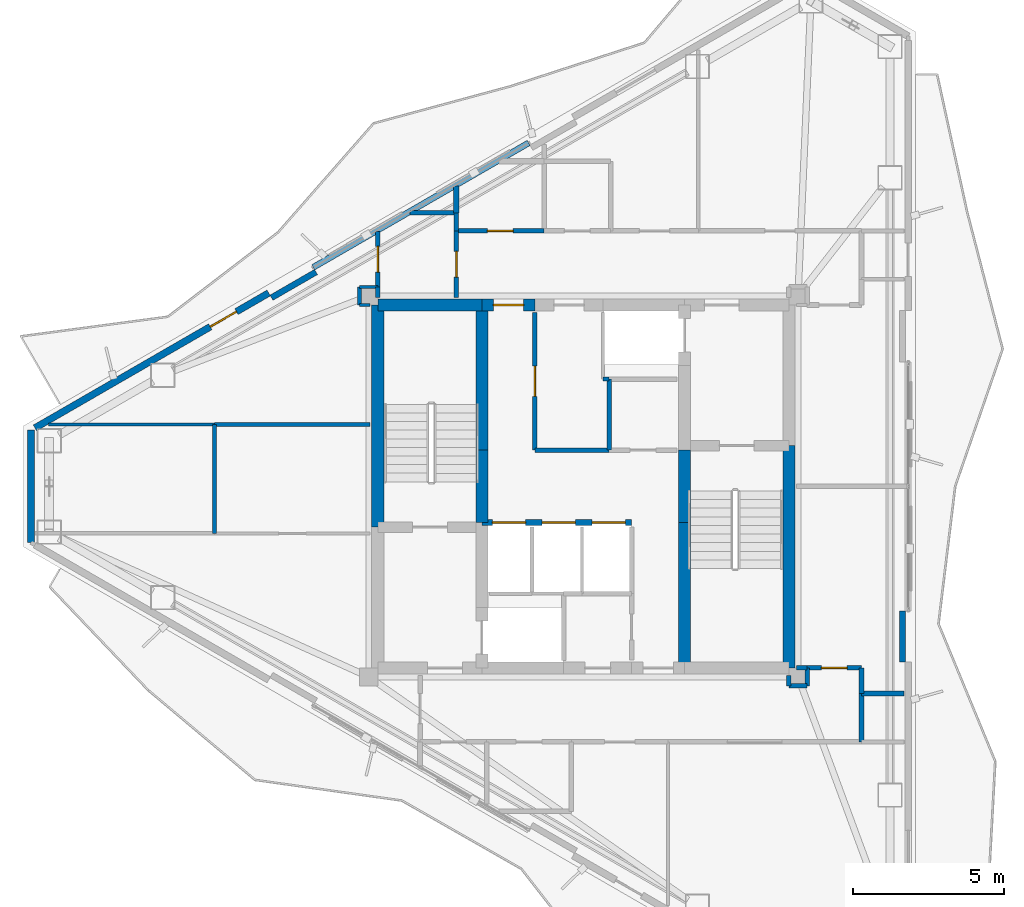
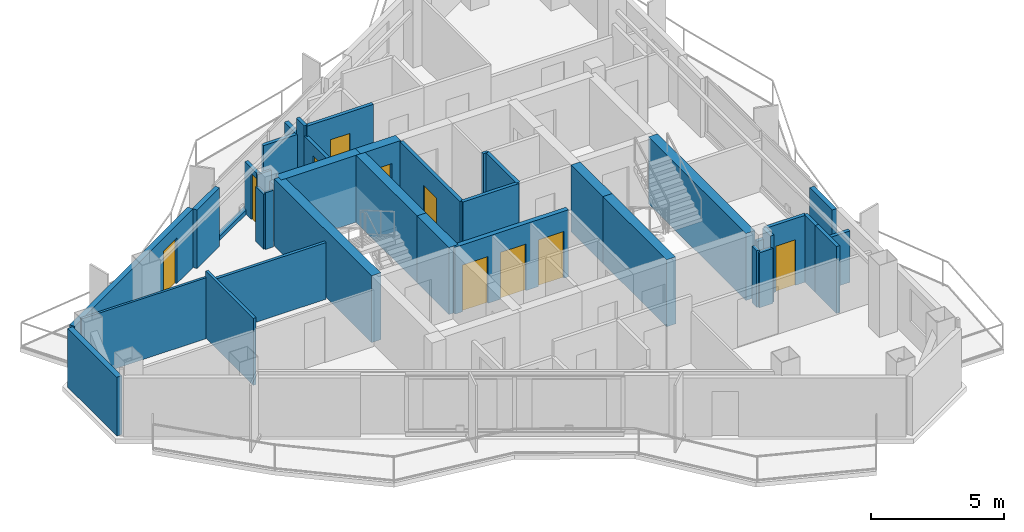
# One storey, part 15 of 18: 39 walls, 10 doors, 10 openings.
"""IFC4 building model written with IfcOpenShell, lengths in metres."""

from ifc_helpers import new_model, si_unit, direction, frame, frame_2d, origin, place, context, subcontext, project, spatial, rectangle, extrude, material, layer, layer_set, type_object, element, fill, save


model = new_model("IFC4")

# Units and contexts
model_context = context("Model", 3, precision=1e-05, world=origin(), true_north=direction((0.0, 1.0)))
body_context = subcontext(model_context, "Body", "Model", "MODEL_VIEW")
ifc_project = project(units=[si_unit("LENGTHUNIT", "METRE"), si_unit("AREAUNIT", "SQUARE_METRE"), si_unit("VOLUMEUNIT", "CUBIC_METRE"), si_unit("PLANEANGLEUNIT", "RADIAN"), si_unit("MASSUNIT", "GRAM", prefix="KILO")], contexts=[model_context])

# Site, building, storey
site_placement = place(None, origin())
site = spatial("IfcSite", under=ifc_project, at=site_placement, CompositionType="ELEMENT")
building_placement = place(site_placement, origin())
building = spatial("IfcBuilding", under=site, at=building_placement, Name="Mersakhor Tower and Convention Hall", CompositionType="ELEMENT")
storey_placement = place(building_placement, frame((0.0, 0.0, 239.699951171875)))
storey = spatial("IfcBuildingStorey", under=building, at=storey_placement, Name="L67", CompositionType="ELEMENT", Elevation=239.699951171875)

# Wall
ifc_material_1 = material(Name="Precast concrete C40/50", Category="concrete")
ifc_layer_1 = layer(ifc_material_1, 0.22509765625)
ifc_layer_set_1 = layer_set([ifc_layer_1], Name="Precast concrete C40/50")
wall_type_1 = type_object("IfcWallType", Name="WL-EXT-225", PredefinedType="SOLIDWALL", material=ifc_layer_set_1)
wall_1_placement = place(storey_placement, frame((10.73193359375, 24.892333984375, 0.0), z_axis=(0.0, 0.0, 1.0), x_axis=(0.0, 1.0, 0.0)))
element("IfcWall", 1, at=wall_1_placement, inside=storey, type_object=wall_type_1, Name="L67 Chamfer Braced Spandrel Wall C3", PredefinedType="SOLIDWALL", context=body_context, shape_type="SweptSolid", body=[
    extrude(rectangle(XDim=3.71533203125, YDim=0.22509765625, at=frame_2d((1.857666015625, 0.0))), origin(), (0.0, 0.0, 1.0), 2.699951171875),
])

# Wall, opening, door
wall_2_placement = place(storey_placement, frame((10.86181640625, 28.6826171875, 0.0), z_axis=(0.0, 0.0, 1.0), x_axis=(0.866026655105, 0.499997832642, 0.0)))
wall_2 = element("IfcWall", 2, at=wall_2_placement, inside=storey, type_object=wall_type_1, Name="L67 Exterior Facade Wall F1-B1", PredefinedType="SOLIDWALL", context=body_context, shape_type="SweptSolid", body=[
    extrude(rectangle(XDim=8.927734375, YDim=0.22509765625, at=frame_2d((4.4638671875, 0.0))), origin(), (0.0, 0.0, 1.0), 2.699951171875),
])
opening_1_placement = place(wall_2_placement, frame((6.696044921875, 0.0, 0.0)))
opening_1 = element("IfcOpeningElement", 3, at=opening_1_placement, cuts=wall_2, Name="Opening BD-01", PredefinedType="OPENING", context=body_context, shape_type="SweptSolid", body=[
    extrude(rectangle(XDim=1.0, YDim=2.10009765625, at=frame_2d((0.5, 1.050048828125))), frame((0.0, 0.12255859375, 0.0), z_axis=(0.0, -1.0, 0.0), x_axis=(1.0, 0.0, 0.0)), (0.0, 0.0, 1.0), 0.2451171875),
])
ifc_material_2 = material(Name="Thermally broken dark aluminium and safety glass", Category="aluminium")
door_type_1 = type_object("IfcDoorType", Name="DR-BAL-100x210", OperationType="NOTDEFINED", PredefinedType="DOOR", material=ifc_material_2)
door_1_placement = place(opening_1_placement, origin())
door_1 = element("IfcDoor", 4, at=door_1_placement, inside=storey, type_object=door_type_1, Name="L67 Balcony Terrace Door F1-B1", OperationType="SINGLE_SWING_LEFT", OverallHeight=2.10009765625, OverallWidth=1.0, PredefinedType="DOOR", context=body_context, shape_type="SweptSolid", body=[
    extrude(rectangle(XDim=1.0, YDim=2.10009765625, at=frame_2d((0.5, 1.050048828125))), frame((0.0, 0.02490234375, 0.0), z_axis=(0.0, -1.0, 0.0), x_axis=(1.0, 0.0, 0.0)), (0.0, 0.0, 1.0), 0.050048828125),
])
fill(opening_1, door_1)

# Walls
ifc_material_3 = material(Name="Precast concrete C40/50", Category="concrete")
ifc_layer_2 = layer(ifc_material_3, 0.199951171875)
ifc_layer_set_2 = layer_set([ifc_layer_2], Name="Precast concrete C40/50")
wall_type_2 = type_object("IfcWallType", Name="WL-PAR-200", PredefinedType="PARAPET", material=ifc_layer_set_2)
wall_3_placement = place(storey_placement, frame((20.06591796875, 33.99658203125, 0.0), z_axis=(0.0, 0.0, 1.0), x_axis=(0.866019557082, 0.500010126649, 0.0)))
element("IfcWall", 5, at=wall_3_placement, inside=storey, type_object=wall_type_2, Name="L67 Curtain Wall Upstand Sill F1-B2", PredefinedType="PARAPET", context=body_context, shape_type="SweptSolid", body=[
    extrude(rectangle(XDim=8.227783203125, YDim=0.199951171875, at=frame_2d((4.11376953125, 0.0))), origin(), (0.0, 0.0, 1.0), 0.199951171875),
])
wall_4_placement = place(storey_placement, frame((18.68359375, 32.99072265625, 0.0), z_axis=(0.0, 0.0, 1.0), x_axis=(0.866025371046, 0.500000056704, 0.0)))
element("IfcWall", 6, at=wall_4_placement, inside=storey, type_object=wall_type_2, Name="L67 Column Pier Cladding Wall F1-C1", PredefinedType="PARAPET", context=body_context, shape_type="SweptSolid", body=[
    extrude(rectangle(XDim=1.7001953125, YDim=0.199951171875, at=frame_2d((0.85009765625, 0.0))), origin(), (0.0, 0.0, 1.0), 2.699951171875),
])
wall_5_placement = place(storey_placement, frame((39.562744140625, 22.635986328125, 0.0), z_axis=(0.0, 0.0, 1.0), x_axis=(0.0, -1.0, 0.0)))
element("IfcWall", 7, at=wall_5_placement, inside=storey, type_object=wall_type_2, Name="L67 Column Pier Cladding Wall F2-C2", PredefinedType="PARAPET", context=body_context, shape_type="SweptSolid", body=[
    extrude(rectangle(XDim=1.699951171875, YDim=0.199951171875, at=frame_2d((0.85009765625, 0.0))), origin(), (0.0, 0.0, 1.0), 2.699951171875),
])
ifc_material_4 = material(Name="Moisture-resistant acoustic drywall studwork", Category="other")
ifc_layer_3 = layer(ifc_material_4, 0.175048828125)
ifc_layer_set_3 = layer_set([ifc_layer_3], Name="Moisture-resistant acoustic drywall studwork")
wall_type_3 = type_object("IfcWallType", Name="WL-PLM-175", PredefinedType="PLUMBINGWALL", material=ifc_layer_set_3)
wall_6_placement = place(storey_placement, frame((24.800048828125, 35.800048828125, 0.0), z_axis=(0.0, 0.0, 1.0), x_axis=(0.0, 1.0, 0.0)))
element("IfcWall", 8, at=wall_6_placement, inside=storey, type_object=wall_type_3, Name="L67 Interior Partition Wall P-040", PredefinedType="PLUMBINGWALL", context=body_context, shape_type="SweptSolid", body=[
    extrude(rectangle(XDim=0.883544921875, YDim=0.175048828125, at=frame_2d((0.44189453125, 0.0))), origin(), (0.0, 0.0, 1.0), 2.364990234375),
])
ifc_material_5 = material(Name="Lightweight gypsum partition", Category="other")
ifc_layer_4 = layer(ifc_material_5, 0.10009765625)
ifc_layer_set_4 = layer_set([ifc_layer_4], Name="Lightweight gypsum partition")
wall_type_4 = type_object("IfcWallType", Name="WL-PRT-100", PredefinedType="PARTITIONING", material=ifc_layer_set_4)
wall_7_placement = place(storey_placement, frame((22.199951171875, 33.35009765625, 0.0), z_axis=(0.0, 0.0, 1.0), x_axis=(-1.0, 0.0, 0.0)))
element("IfcWall", 9, at=wall_7_placement, inside=storey, type_object=wall_type_4, Name="L67 Interior Partition Wall P-066", PredefinedType="PARTITIONING", context=body_context, shape_type="SweptSolid", body=[
    extrude(rectangle(XDim=0.599853515625, YDim=0.10009765625, at=frame_2d((0.2998046875, 0.0))), origin(), (0.0, 0.0, 1.0), 3.080078125),
])
wall_8_placement = place(storey_placement, frame((21.60009765625, 32.75, 0.0), z_axis=(0.0, 0.0, 1.0), x_axis=(1.0, 0.0, 0.0)))
element("IfcWall", 10, at=wall_8_placement, inside=storey, type_object=wall_type_4, Name="L67 Interior Partition Wall P-068", PredefinedType="PARTITIONING", context=body_context, shape_type="SweptSolid", body=[
    extrude(rectangle(XDim=0.349853515625, YDim=0.10009765625, at=frame_2d((0.1748046875, 0.0))), origin(), (0.0, 0.0, 1.0), 2.60498046875),
])
wall_9_placement = place(storey_placement, frame((16.800048828125, 28.800048828125, 0.0), z_axis=(0.0, 0.0, 1.0), x_axis=(-1.0, 0.0, 0.0)))
element("IfcWall", 11, at=wall_9_placement, inside=storey, type_object=wall_type_4, Name="L67 Interior Partition Wall P-070", PredefinedType="PARTITIONING", context=body_context, shape_type="SweptSolid", body=[
    extrude(rectangle(XDim=5.48681640625, YDim=0.10009765625, at=frame_2d((2.743408203125, 0.0))), origin(), (0.0, 0.0, 1.0), 2.8046875),
])
ifc_material_6 = material(Name="Gypsum board acoustic partition", Category="other")
ifc_layer_5 = layer(ifc_material_6, 0.125)
ifc_layer_set_5 = layer_set([ifc_layer_5], Name="Gypsum board acoustic partition")
wall_type_5 = type_object("IfcWallType", Name="WL-PRT-125", PredefinedType="PARTITIONING", material=ifc_layer_set_5)
wall_10_placement = place(storey_placement, frame((29.85009765625, 30.300048828125, 0.0), z_axis=(0.0, 0.0, 1.0), x_axis=(-1.0, 0.0, 0.0)))
element("IfcWall", 12, at=wall_10_placement, inside=storey, type_object=wall_type_5, Name="L67 Interior Partition Wall P-005", PredefinedType="PARTITIONING", context=body_context, shape_type="SweptSolid", body=[
    extrude(rectangle(XDim=0.2001953125, YDim=0.125, at=frame_2d((0.10009765625, 0.0))), origin(), (0.0, 0.0, 1.0), 3.080078125),
])
wall_11_placement = place(storey_placement, frame((21.60009765625, 33.35009765625, 0.0), z_axis=(0.0, 0.0, 1.0), x_axis=(0.0, -1.0, 0.0)))
element("IfcWall", 13, at=wall_11_placement, inside=storey, type_object=wall_type_5, Name="L67 Interior Partition Wall P-067", PredefinedType="PARTITIONING", context=body_context, shape_type="SweptSolid", body=[
    extrude(rectangle(XDim=0.60009765625, YDim=0.125, at=frame_2d((0.300048828125, 0.0))), origin(), (0.0, 0.0, 1.0), 2.5283203125),
])
wall_12_placement = place(storey_placement, frame((21.949951171875, 28.800048828125, 0.0), z_axis=(0.0, 0.0, 1.0), x_axis=(-1.0, 0.0, 0.0)))
element("IfcWall", 14, at=wall_12_placement, inside=storey, type_object=wall_type_5, Name="L67 Interior Partition Wall P-069", PredefinedType="PARTITIONING", context=body_context, shape_type="SweptSolid", body=[
    extrude(rectangle(XDim=5.14990234375, YDim=0.125, at=frame_2d((2.574951171875, 0.0))), origin(), (0.0, 0.0, 1.0), 2.60498046875),
])
wall_13_placement = place(storey_placement, frame((16.800048828125, 25.199951171875, 0.0), z_axis=(0.0, 0.0, 1.0), x_axis=(0.0, 1.0, 0.0)))
element("IfcWall", 15, at=wall_13_placement, inside=storey, type_object=wall_type_5, Name="L67 Interior Partition Wall P-071", PredefinedType="PARTITIONING", context=body_context, shape_type="SweptSolid", body=[
    extrude(rectangle(XDim=3.60009765625, YDim=0.125, at=frame_2d((1.800048828125, 0.0))), origin(), (0.0, 0.0, 1.0), 3.080078125),
])

# Wall, opening, door
ifc_material_7 = material(Name="Fire-rated gypsum board stud partition", Category="other")
ifc_layer_6 = layer(ifc_material_7, 0.14990234375)
ifc_layer_set_6 = layer_set([ifc_layer_6], Name="Fire-rated gypsum board stud partition")
wall_type_6 = type_object("IfcWallType", Name="WL-PRT-150", PredefinedType="PARTITIONING", material=ifc_layer_set_6)
wall_14_placement = place(storey_placement, frame((27.39990234375, 32.5, 0.0), z_axis=(0.0, 0.0, 1.0), x_axis=(0.0, -1.0, 0.0)))
wall_14 = element("IfcWall", 16, at=wall_14_placement, inside=storey, type_object=wall_type_6, Name="L67 Interior Partition Wall P-013", PredefinedType="PARTITIONING", context=body_context, shape_type="SweptSolid", body=[
    extrude(rectangle(XDim=4.550048828125, YDim=0.14990234375, at=frame_2d((2.27490234375, 0.0))), origin(), (0.0, 0.0, 1.0), 3.080078125),
])
opening_2_placement = place(wall_14_placement, frame((1.77490234375, 0.0, 0.0)))
opening_2 = element("IfcOpeningElement", 17, at=opening_2_placement, cuts=wall_14, Name="Opening FD-01", PredefinedType="OPENING", context=body_context, shape_type="SweptSolid", body=[
    extrude(rectangle(XDim=1.0, YDim=2.14990234375, at=frame_2d((0.5, 1.074951171875))), frame((0.0, 0.0849609375, 0.0), z_axis=(0.0, -1.0, 0.0), x_axis=(1.0, 0.0, 0.0)), (0.0, 0.0, 1.0), 0.169921875),
])
ifc_material_8 = material(Name="Fire-rated hardwood leaf and painted steel frame", Category="steel")
door_type_2 = type_object("IfcDoorType", Name="DR-INT-FLT-100x215", OperationType="NOTDEFINED", PredefinedType="DOOR", material=ifc_material_8)
door_2_placement = place(opening_2_placement, origin())
door_2 = element("IfcDoor", 18, at=door_2_placement, inside=storey, type_object=door_type_2, Name="L67 Central Passenger Lift Lobby to Communal Resident Laundry Room Door", OperationType="SINGLE_SWING_LEFT", OverallHeight=2.14990234375, OverallWidth=1.0, PredefinedType="DOOR", context=body_context, shape_type="SweptSolid", body=[
    extrude(rectangle(XDim=1.0, YDim=2.14990234375, at=frame_2d((0.5, 1.074951171875))), frame((0.0, 0.02490234375, 0.0), z_axis=(0.0, -1.0, 0.0), x_axis=(1.0, 0.0, 0.0)), (0.0, 0.0, 1.0), 0.050048828125),
])
fill(opening_2, door_2)

# Wall
wall_15_placement = place(storey_placement, frame((27.39990234375, 27.949951171875, 0.0), z_axis=(0.0, 0.0, 1.0), x_axis=(1.0, 0.0, 0.0)))
element("IfcWall", 19, at=wall_15_placement, inside=storey, type_object=wall_type_6, Name="L67 Interior Partition Wall P-014", PredefinedType="PARTITIONING", context=body_context, shape_type="SweptSolid", body=[
    extrude(rectangle(XDim=2.4501953125, YDim=0.14990234375, at=frame_2d((1.22509765625, 0.0))), origin(), (0.0, 0.0, 1.0), 3.080078125),
])

# Wall, opening, door
wall_16_placement = place(storey_placement, frame((24.800048828125, 35.199951171875, 0.0), z_axis=(0.0, 0.0, 1.0), x_axis=(1.0, 0.0, 0.0)))
wall_16 = element("IfcWall", 20, at=wall_16_placement, inside=storey, type_object=wall_type_6, Name="L67 Interior Partition Wall P-016", PredefinedType="PARTITIONING", context=body_context, shape_type="SweptSolid", body=[
    extrude(rectangle(XDim=2.89990234375, YDim=0.14990234375, at=frame_2d((1.449951171875, 0.0))), origin(), (0.0, 0.0, 1.0), 3.080078125),
])
opening_3_placement = place(wall_16_placement, frame((1.02490234375, 0.0, 0.0)))
opening_3 = element("IfcOpeningElement", 21, at=opening_3_placement, cuts=wall_16, Name="Opening SVD-01", PredefinedType="OPENING", context=body_context, shape_type="SweptSolid", body=[
    extrude(rectangle(XDim=0.85009765625, YDim=2.10009765625, at=frame_2d((0.425048828125, 1.050048828125))), frame((0.0, 0.0849609375, 0.0), z_axis=(0.0, -1.0, 0.0), x_axis=(1.0, 0.0, 0.0)), (0.0, 0.0, 1.0), 0.169921875),
])
ifc_material_9 = material(Name="Fire-rated hardwood leaf and painted steel frame", Category="steel")
door_type_3 = type_object("IfcDoorType", Name="DR-INT-SVC-085x210", OperationType="NOTDEFINED", PredefinedType="DOOR", material=ifc_material_9)
door_3_placement = place(opening_3_placement, origin())
door_3 = element("IfcDoor", 22, at=door_3_placement, inside=storey, type_object=door_type_3, Name="L67 Residential North Gallery Corridor to L67 Floor Shared Restroom WC 1-1 Door", OperationType="SINGLE_SWING_RIGHT", OverallHeight=2.10009765625, OverallWidth=0.85009765625, PredefinedType="DOOR", context=body_context, shape_type="SweptSolid", body=[
    extrude(rectangle(XDim=0.85009765625, YDim=2.10009765625, at=frame_2d((0.425048828125, 1.050048828125))), frame((0.0, 0.02490234375, 0.0), z_axis=(0.0, -1.0, 0.0), x_axis=(1.0, 0.0, 0.0)), (0.0, 0.0, 1.0), 0.050048828125),
])
fill(opening_3, door_3)

wall_17_placement = place(storey_placement, frame((24.800048828125, 33.0, 0.0), z_axis=(0.0, 0.0, 1.0), x_axis=(0.0, 1.0, 0.0)))
wall_17 = element("IfcWall", 23, at=wall_17_placement, inside=storey, type_object=wall_type_6, Name="L67 Interior Partition Wall P-026", PredefinedType="PARTITIONING", context=body_context, shape_type="SweptSolid", body=[
    extrude(rectangle(XDim=2.199951171875, YDim=0.14990234375, at=frame_2d((1.10009765625, 0.0))), origin(), (0.0, 0.0, 1.0), 2.60498046875),
])
opening_4_placement = place(wall_17_placement, frame((0.675048828125, 0.0, 0.0)))
opening_4 = element("IfcOpeningElement", 24, at=opening_4_placement, cuts=wall_17, Name="Opening SVD-01", PredefinedType="OPENING", context=body_context, shape_type="SweptSolid", body=[
    extrude(rectangle(XDim=0.85009765625, YDim=2.10009765625, at=frame_2d((0.425048828125, 1.050048828125))), frame((0.0, 0.0849609375, 0.0), z_axis=(0.0, -1.0, 0.0), x_axis=(1.0, 0.0, 0.0)), (0.0, 0.0, 1.0), 0.169921875),
])
door_4_placement = place(opening_4_placement, origin())
door_4 = element("IfcDoor", 25, at=door_4_placement, inside=storey, type_object=door_type_3, Name="L67 Residential North Gallery Corridor to L67 Floor Household Store Room 3-1 Door", OperationType="SINGLE_SWING_RIGHT", OverallHeight=2.10009765625, OverallWidth=0.85009765625, PredefinedType="DOOR", context=body_context, shape_type="SweptSolid", body=[
    extrude(rectangle(XDim=0.85009765625, YDim=2.10009765625, at=frame_2d((0.425048828125, 1.050048828125))), frame((0.0, 0.02490234375, 0.0), z_axis=(0.0, -1.0, 0.0), x_axis=(1.0, 0.0, 0.0)), (0.0, 0.0, 1.0), 0.050048828125),
])
fill(opening_4, door_4)

# Walls
wall_18_placement = place(storey_placement, frame((35.800048828125, 20.14990234375, 0.0), z_axis=(0.0, 0.0, 1.0), x_axis=(1.0, 0.0, 0.0)))
element("IfcWall", 26, at=wall_18_placement, inside=storey, type_object=wall_type_6, Name="L67 Interior Partition Wall P-027", PredefinedType="PARTITIONING", context=body_context, shape_type="SweptSolid", body=[
    extrude(rectangle(XDim=0.599853515625, YDim=0.14990234375, at=frame_2d((0.2998046875, 0.0))), origin(), (0.0, 0.0, 1.0), 2.5283203125),
])
wall_19_placement = place(storey_placement, frame((36.39990234375, 20.14990234375, 0.0), z_axis=(0.0, 0.0, 1.0), x_axis=(0.0, 1.0, 0.0)))
element("IfcWall", 27, at=wall_19_placement, inside=storey, type_object=wall_type_6, Name="L67 Interior Partition Wall P-028", PredefinedType="PARTITIONING", context=body_context, shape_type="SweptSolid", body=[
    extrude(rectangle(XDim=0.60009765625, YDim=0.14990234375, at=frame_2d((0.300048828125, 0.0))), origin(), (0.0, 0.0, 1.0), 3.080078125),
])

# Wall, opening, door
wall_20_placement = place(storey_placement, frame((36.39990234375, 20.75, 0.0), z_axis=(0.0, 0.0, 1.0), x_axis=(1.0, 0.0, 0.0)))
wall_20 = element("IfcWall", 28, at=wall_20_placement, inside=storey, type_object=wall_type_6, Name="L67 Interior Partition Wall P-029", PredefinedType="PARTITIONING", context=body_context, shape_type="SweptSolid", body=[
    extrude(rectangle(XDim=1.800048828125, YDim=0.14990234375, at=frame_2d((0.89990234375, 0.0))), origin(), (0.0, 0.0, 1.0), 3.080078125),
])
opening_5_placement = place(wall_20_placement, frame((0.47509765625, 0.0, 0.0)))
opening_5 = element("IfcOpeningElement", 29, at=opening_5_placement, cuts=wall_20, Name="Opening SVD-01", PredefinedType="OPENING", context=body_context, shape_type="SweptSolid", body=[
    extrude(rectangle(XDim=0.85009765625, YDim=2.10009765625, at=frame_2d((0.425048828125, 1.050048828125))), frame((0.0, 0.0849609375, 0.0), z_axis=(0.0, -1.0, 0.0), x_axis=(1.0, 0.0, 0.0)), (0.0, 0.0, 1.0), 0.169921875),
])
door_5_placement = place(opening_5_placement, origin())
door_5 = element("IfcDoor", 30, at=door_5_placement, inside=storey, type_object=door_type_3, Name="L67 Residential South Gallery Corridor to L67 East Crown Household Store Door", OperationType="SINGLE_SWING_LEFT", OverallHeight=2.10009765625, OverallWidth=0.85009765625, PredefinedType="DOOR", context=body_context, shape_type="SweptSolid", body=[
    extrude(rectangle(XDim=0.85009765625, YDim=2.10009765625, at=frame_2d((0.425048828125, 1.050048828125))), frame((0.0, 0.02490234375, 0.0), z_axis=(0.0, -1.0, 0.0), x_axis=(1.0, 0.0, 0.0)), (0.0, 0.0, 1.0), 0.050048828125),
])
fill(opening_5, door_5)

# Walls
wall_21_placement = place(storey_placement, frame((38.199951171875, 20.75, 0.0), z_axis=(0.0, 0.0, 1.0), x_axis=(0.0, -1.0, 0.0)))
element("IfcWall", 31, at=wall_21_placement, inside=storey, type_object=wall_type_6, Name="L67 Interior Partition Wall P-030", PredefinedType="PARTITIONING", context=body_context, shape_type="SweptSolid", body=[
    extrude(rectangle(XDim=0.85009765625, YDim=0.14990234375, at=frame_2d((0.425048828125, 0.0))), origin(), (0.0, 0.0, 1.0), 3.080078125),
])
wall_22_placement = place(storey_placement, frame((38.199951171875, 19.89990234375, 0.0), z_axis=(0.0, 0.0, 1.0), x_axis=(0.0, -1.0, 0.0)))
element("IfcWall", 32, at=wall_22_placement, inside=storey, type_object=wall_type_6, Name="L67 Interior Partition Wall P-031", PredefinedType="PARTITIONING", context=body_context, shape_type="SweptSolid", body=[
    extrude(rectangle(XDim=1.599853515625, YDim=0.14990234375, at=frame_2d((0.7998046875, 0.0))), origin(), (0.0, 0.0, 1.0), 3.080078125),
])
wall_23_placement = place(storey_placement, frame((35.800048828125, 20.5, 0.0), z_axis=(0.0, 0.0, 1.0), x_axis=(0.0, -1.0, 0.0)))
element("IfcWall", 33, at=wall_23_placement, inside=storey, type_object=wall_type_6, Name="L67 Interior Partition Wall P-037", PredefinedType="PARTITIONING", context=body_context, shape_type="SweptSolid", body=[
    extrude(rectangle(XDim=0.35009765625, YDim=0.14990234375, at=frame_2d((0.175048828125, 0.0))), origin(), (0.0, 0.0, 1.0), 2.60498046875),
])
wall_24_placement = place(storey_placement, frame((24.800048828125, 35.199951171875, 0.0), z_axis=(0.0, 0.0, 1.0), x_axis=(0.0, 1.0, 0.0)))
element("IfcWall", 34, at=wall_24_placement, inside=storey, type_object=wall_type_6, Name="L67 Interior Partition Wall P-039", PredefinedType="PARTITIONING", context=body_context, shape_type="SweptSolid", body=[
    extrude(rectangle(XDim=0.60009765625, YDim=0.14990234375, at=frame_2d((0.300048828125, 0.0))), origin(), (0.0, 0.0, 1.0), 3.080078125),
])
wall_25_placement = place(storey_placement, frame((29.85009765625, 30.300048828125, 0.0), z_axis=(0.0, 0.0, 1.0), x_axis=(0.0, -1.0, 0.0)))
element("IfcWall", 35, at=wall_25_placement, inside=storey, type_object=wall_type_6, Name="L67 Interior Partition Wall P-044", PredefinedType="PARTITIONING", context=body_context, shape_type="SweptSolid", body=[
    extrude(rectangle(XDim=2.35009765625, YDim=0.14990234375, at=frame_2d((1.175048828125, 0.0))), origin(), (0.0, 0.0, 1.0), 3.080078125),
])
wall_26_placement = place(storey_placement, frame((36.39990234375, 20.75, 0.0), z_axis=(0.0, 0.0, 1.0), x_axis=(-1.0, 0.0, 0.0)))
element("IfcWall", 36, at=wall_26_placement, inside=storey, type_object=wall_type_6, Name="L67 Interior Partition Wall P-057", PredefinedType="PARTITIONING", context=body_context, shape_type="SweptSolid", body=[
    extrude(rectangle(XDim=0.349853515625, YDim=0.14990234375, at=frame_2d((0.1748046875, 0.0))), origin(), (0.0, 0.0, 1.0), 2.60498046875),
])
wall_27_placement = place(storey_placement, frame((39.606201171875, 19.89990234375, 0.0), z_axis=(0.0, 0.0, 1.0), x_axis=(-1.0, 0.0, 0.0)))
element("IfcWall", 37, at=wall_27_placement, inside=storey, type_object=wall_type_6, Name="L67 Interior Partition Wall P-058", PredefinedType="PARTITIONING", context=body_context, shape_type="SweptSolid", body=[
    extrude(rectangle(XDim=1.40625, YDim=0.14990234375, at=frame_2d((0.703125, 0.0))), origin(), (0.0, 0.0, 1.0), 2.364990234375),
])
wall_28_placement = place(storey_placement, frame((22.199951171875, 33.0, 0.0), z_axis=(0.0, 0.0, 1.0), x_axis=(0.0, 1.0, 0.0)))
element("IfcWall", 38, at=wall_28_placement, inside=storey, type_object=wall_type_6, Name="L67 Interior Partition Wall P-063", PredefinedType="PARTITIONING", context=body_context, shape_type="SweptSolid", body=[
    extrude(rectangle(XDim=0.35009765625, YDim=0.14990234375, at=frame_2d((0.175048828125, 0.0))), origin(), (0.0, 0.0, 1.0), 2.60498046875),
])

# Wall, opening, door
wall_29_placement = place(storey_placement, frame((22.199951171875, 33.35009765625, 0.0), z_axis=(0.0, 0.0, 1.0), x_axis=(0.0, 1.0, 0.0)))
wall_29 = element("IfcWall", 39, at=wall_29_placement, inside=storey, type_object=wall_type_6, Name="L67 Interior Partition Wall P-064", PredefinedType="PARTITIONING", context=body_context, shape_type="SweptSolid", body=[
    extrude(rectangle(XDim=1.83251953125, YDim=0.14990234375, at=frame_2d((0.916259765625, 0.0))), origin(), (0.0, 0.0, 1.0), 2.364990234375),
])
opening_6_placement = place(wall_29_placement, frame((0.4912109375, 0.0, 0.0)))
opening_6 = element("IfcOpeningElement", 40, at=opening_6_placement, cuts=wall_29, Name="Opening SVD-01", PredefinedType="OPENING", context=body_context, shape_type="SweptSolid", body=[
    extrude(rectangle(XDim=0.85009765625, YDim=2.10009765625, at=frame_2d((0.425048828125, 1.050048828125))), frame((0.0, 0.0849609375, 0.0), z_axis=(0.0, -1.0, 0.0), x_axis=(1.0, 0.0, 0.0)), (0.0, 0.0, 1.0), 0.169921875),
])
door_6_placement = place(opening_6_placement, origin())
door_6 = element("IfcDoor", 41, at=door_6_placement, inside=storey, type_object=door_type_3, Name="L67 L67 Floor Household Store Room 3-1 to L67 Floor Residents Study Room 3-2 Door", OperationType="SINGLE_SWING_RIGHT", OverallHeight=2.10009765625, OverallWidth=0.85009765625, PredefinedType="DOOR", context=body_context, shape_type="SweptSolid", body=[
    extrude(rectangle(XDim=0.85009765625, YDim=2.10009765625, at=frame_2d((0.425048828125, 1.050048828125))), frame((0.0, 0.02490234375, 0.0), z_axis=(0.0, -1.0, 0.0), x_axis=(1.0, 0.0, 0.0)), (0.0, 0.0, 1.0), 0.050048828125),
])
fill(opening_6, door_6)

# Wall
wall_30_placement = place(storey_placement, frame((23.26220703125, 35.800048828125, 0.0), z_axis=(0.0, 0.0, 1.0), x_axis=(1.0, 0.0, 0.0)))
element("IfcWall", 42, at=wall_30_placement, inside=storey, type_object=wall_type_6, Name="L67 Interior Partition Wall P-065", PredefinedType="PARTITIONING", context=body_context, shape_type="SweptSolid", body=[
    extrude(rectangle(XDim=1.537841796875, YDim=0.14990234375, at=frame_2d((0.76904296875, 0.0))), origin(), (0.0, 0.0, 1.0), 2.364990234375),
])

# Wall, openings, doors
ifc_material_10 = material(Name="Acoustic concrete blockwork and gypsum board", Category="masonry")
ifc_layer_7 = layer(ifc_material_10, 0.199951171875)
ifc_layer_set_7 = layer_set([ifc_layer_7], Name="Acoustic concrete blockwork and gypsum board")
wall_type_7 = type_object("IfcWallType", Name="WL-PRT-200", PredefinedType="PARTITIONING", material=ifc_layer_set_7)
wall_31_placement = place(storey_placement, frame((25.64990234375, 25.550048828125, 0.0), z_axis=(0.0, 0.0, 1.0), x_axis=(1.0, 0.0, 0.0)))
wall_31 = element("IfcWall", 43, at=wall_31_placement, inside=storey, type_object=wall_type_7, Name="L67 High-Rise Lift Bank Front Wall", PredefinedType="PARTITIONING", context=body_context, shape_type="SweptSolid", body=[
    extrude(rectangle(XDim=4.9501953125, YDim=0.199951171875, at=frame_2d((2.47509765625, 0.0))), origin(), (0.0, 0.0, 1.0), 3.080078125),
])
opening_7_placement = place(wall_31_placement, frame((0.340087890625, 0.0, 0.0)))
opening_7 = element("IfcOpeningElement", 44, at=opening_7_placement, cuts=wall_31, Name="Opening LD-P4", PredefinedType="OPENING", context=body_context, shape_type="SweptSolid", body=[
    extrude(rectangle(XDim=1.10009765625, YDim=2.14990234375, at=frame_2d((0.550048828125, 1.074951171875))), frame((0.0, 0.10986328125, 0.0), z_axis=(0.0, -1.0, 0.0), x_axis=(1.0, 0.0, 0.0)), (0.0, 0.0, 1.0), 0.219970703125),
])
opening_8_placement = place(wall_31_placement, frame((1.989990234375, 0.0, 0.0)))
opening_8 = element("IfcOpeningElement", 45, at=opening_8_placement, cuts=wall_31, Name="Opening LD-P5", PredefinedType="OPENING", context=body_context, shape_type="SweptSolid", body=[
    extrude(rectangle(XDim=1.10009765625, YDim=2.14990234375, at=frame_2d((0.550048828125, 1.074951171875))), frame((0.0, 0.10986328125, 0.0), z_axis=(0.0, -1.0, 0.0), x_axis=(1.0, 0.0, 0.0)), (0.0, 0.0, 1.0), 0.219970703125),
])
opening_9_placement = place(wall_31_placement, frame((3.639892578125, 0.0, 0.0)))
opening_9 = element("IfcOpeningElement", 46, at=opening_9_placement, cuts=wall_31, Name="Opening LD-P6", PredefinedType="OPENING", context=body_context, shape_type="SweptSolid", body=[
    extrude(rectangle(XDim=1.10009765625, YDim=2.14990234375, at=frame_2d((0.550048828125, 1.074951171875))), frame((0.0, 0.10986328125, 0.0), z_axis=(0.0, -1.0, 0.0), x_axis=(1.0, 0.0, 0.0)), (0.0, 0.0, 1.0), 0.219970703125),
])
ifc_material_11 = material(Name="Fire-rated brushed stainless steel sliding landing door", Category="steel")
door_type_4 = type_object("IfcDoorType", Name="DR-LIFT-SLD-110x215", OperationType="NOTDEFINED", PredefinedType="DOOR", material=ifc_material_11)
door_7_placement = place(opening_7_placement, origin())
door_7 = element("IfcDoor", 47, at=door_7_placement, inside=storey, type_object=door_type_4, Name="L67 Lift Landing Door LD-P4", OperationType="SLIDING_TO_LEFT", OverallHeight=2.14990234375, OverallWidth=1.10009765625, PredefinedType="DOOR", context=body_context, shape_type="SweptSolid", body=[
    extrude(rectangle(XDim=1.10009765625, YDim=2.14990234375, at=frame_2d((0.550048828125, 1.074951171875))), frame((0.0, 0.02490234375, 0.0), z_axis=(0.0, -1.0, 0.0), x_axis=(1.0, 0.0, 0.0)), (0.0, 0.0, 1.0), 0.050048828125),
])
fill(opening_7, door_7)
door_8_placement = place(opening_8_placement, origin())
door_8 = element("IfcDoor", 48, at=door_8_placement, inside=storey, type_object=door_type_4, Name="L67 Lift Landing Door LD-P5", OperationType="SLIDING_TO_LEFT", OverallHeight=2.14990234375, OverallWidth=1.10009765625, PredefinedType="DOOR", context=body_context, shape_type="SweptSolid", body=[
    extrude(rectangle(XDim=1.10009765625, YDim=2.14990234375, at=frame_2d((0.550048828125, 1.074951171875))), frame((0.0, 0.02490234375, 0.0), z_axis=(0.0, -1.0, 0.0), x_axis=(1.0, 0.0, 0.0)), (0.0, 0.0, 1.0), 0.050048828125),
])
fill(opening_8, door_8)
door_9_placement = place(opening_9_placement, origin())
door_9 = element("IfcDoor", 49, at=door_9_placement, inside=storey, type_object=door_type_4, Name="L67 Lift Landing Door LD-P6", OperationType="SLIDING_TO_LEFT", OverallHeight=2.14990234375, OverallWidth=1.10009765625, PredefinedType="DOOR", context=body_context, shape_type="SweptSolid", body=[
    extrude(rectangle(XDim=1.10009765625, YDim=2.14990234375, at=frame_2d((0.550048828125, 1.074951171875))), frame((0.0, 0.02490234375, 0.0), z_axis=(0.0, -1.0, 0.0), x_axis=(1.0, 0.0, 0.0)), (0.0, 0.0, 1.0), 0.050048828125),
])
fill(opening_9, door_9)

# Walls
ifc_material_12 = material(Name="Concrete C60/75", Category="concrete")
ifc_layer_8 = layer(ifc_material_12, 0.39990234375)
ifc_layer_set_8 = layer_set([ifc_layer_8], Name="Concrete C60/75")
wall_type_8 = type_object("IfcWallType", Name="WL-SHR-400", PredefinedType="SHEAR", material=ifc_layer_set_8)
wall_32_placement = place(storey_placement, frame((22.199951171875, 25.39990234375, 0.0), z_axis=(0.0, 0.0, 1.0), x_axis=(0.0, 1.0, 0.0)))
element("IfcWall", 50, at=wall_32_placement, inside=storey, type_object=wall_type_8, Name="L67 Core Wall CW-W2", PredefinedType="SHEAR", context=body_context, shape_type="SweptSolid", body=[
    extrude(rectangle(XDim=7.35009765625, YDim=0.39990234375, at=frame_2d((3.675048828125, 0.0))), origin(), (0.0, 0.0, 1.0), 3.080078125),
])
wall_33_placement = place(storey_placement, frame((22.199951171875, 32.75, 0.0), z_axis=(0.0, 0.0, 1.0), x_axis=(1.0, 0.0, 0.0)))
element("IfcWall", 51, at=wall_33_placement, inside=storey, type_object=wall_type_8, Name="L67 Core Wall CW-N1", PredefinedType="SHEAR", context=body_context, shape_type="SweptSolid", body=[
    extrude(rectangle(XDim=3.449951171875, YDim=0.39990234375, at=frame_2d((1.72509765625, 0.0))), origin(), (0.0, 0.0, 1.0), 3.080078125),
])

# Wall, opening, door
wall_34_placement = place(storey_placement, frame((25.64990234375, 32.75, 0.0), z_axis=(0.0, 0.0, 1.0), x_axis=(1.0, 0.0, 0.0)))
wall_34 = element("IfcWall", 52, at=wall_34_placement, inside=storey, type_object=wall_type_8, Name="L67 Core Wall CW-N2A", PredefinedType="SHEAR", context=body_context, shape_type="SweptSolid", body=[
    extrude(rectangle(XDim=1.75, YDim=0.39990234375, at=frame_2d((0.875, 0.0))), origin(), (0.0, 0.0, 1.0), 3.080078125),
])
opening_10_placement = place(wall_34_placement, frame((0.375, 0.0, 0.0)))
opening_10 = element("IfcOpeningElement", 53, at=opening_10_placement, cuts=wall_34, Name="Opening CFD-01", PredefinedType="OPENING", context=body_context, shape_type="SweptSolid", body=[
    extrude(rectangle(XDim=1.0, YDim=2.14990234375, at=frame_2d((0.5, 1.074951171875))), frame((0.0, 0.2099609375, 0.0), z_axis=(0.0, -1.0, 0.0), x_axis=(1.0, 0.0, 0.0)), (0.0, 0.0, 1.0), 0.419921875),
])
ifc_material_13 = material(Name="Fire-rated hardwood leaf and painted steel frame", Category="steel")
door_type_5 = type_object("IfcDoorType", Name="DR-CORE-FD-100x215", OperationType="NOTDEFINED", PredefinedType="DOOR", material=ifc_material_13)
door_10_placement = place(opening_10_placement, origin())
door_10 = element("IfcDoor", 54, at=door_10_placement, inside=storey, type_object=door_type_5, Name="L67 Lift Lobby North Corridor Door", OperationType="SINGLE_SWING_LEFT", OverallHeight=2.14990234375, OverallWidth=1.0, PredefinedType="DOOR", context=body_context, shape_type="SweptSolid", body=[
    extrude(rectangle(XDim=1.0, YDim=2.14990234375, at=frame_2d((0.5, 1.074951171875))), frame((0.0, 0.02490234375, 0.0), z_axis=(0.0, -1.0, 0.0), x_axis=(1.0, 0.0, 0.0)), (0.0, 0.0, 1.0), 0.050048828125),
])
fill(opening_10, door_10)

# Walls
wall_35_placement = place(storey_placement, frame((35.800048828125, 28.10009765625, 0.0), z_axis=(0.0, 0.0, 1.0), x_axis=(0.0, -1.0, 0.0)))
element("IfcWall", 55, at=wall_35_placement, inside=storey, type_object=wall_type_8, Name="L67 Core Wall CW-E2", PredefinedType="SHEAR", context=body_context, shape_type="SweptSolid", body=[
    extrude(rectangle(XDim=7.35009765625, YDim=0.39990234375, at=frame_2d((3.675048828125, 0.0))), origin(), (0.0, 0.0, 1.0), 3.080078125),
])
wall_36_placement = place(storey_placement, frame((25.64990234375, 25.550048828125, 0.0), z_axis=(0.0, 0.0, 1.0), x_axis=(0.0, 1.0, 0.0)))
element("IfcWall", 56, at=wall_36_placement, inside=storey, type_object=wall_type_8, Name="L67 Core Wall CS-W-LOB", PredefinedType="SHEAR", context=body_context, shape_type="SweptSolid", body=[
    extrude(rectangle(XDim=2.39990234375, YDim=0.39990234375, at=frame_2d((1.199951171875, 0.0))), origin(), (0.0, 0.0, 1.0), 3.080078125),
])
for number, where, z_axis, x_axis, name in (
    (57, (25.64990234375, 27.949951171875, 0.0), (0.0, 0.0, 1.0), (0.0, 1.0, 0.0), "L67 Core Wall CS-W-ST1"),
    (58, (32.35009765625, 20.75, 0.0), (0.0, 0.0, 1.0), (0.0, 1.0, 0.0), "L67 Core Wall CS-E-ST2"),
):
    element("IfcWall", number, at=place(storey_placement, frame(where, z_axis=z_axis, x_axis=x_axis)), inside=storey, type_object=wall_type_8, Name=name, PredefinedType="SHEAR", context=body_context, shape_type="SweptSolid", body=[
        extrude(rectangle(XDim=4.800048828125, YDim=0.39990234375, at=frame_2d((2.39990234375, 0.0))), origin(), (0.0, 0.0, 1.0), 3.080078125),
    ])
wall_37_placement = place(storey_placement, frame((32.35009765625, 25.550048828125, 0.0), z_axis=(0.0, 0.0, 1.0), x_axis=(0.0, 1.0, 0.0)))
element("IfcWall", 59, at=wall_37_placement, inside=storey, type_object=wall_type_8, Name="L67 Core Wall CS-E-LOB", PredefinedType="SHEAR", context=body_context, shape_type="SweptSolid", body=[
    extrude(rectangle(XDim=2.39990234375, YDim=0.39990234375, at=frame_2d((1.199951171875, 0.0))), origin(), (0.0, 0.0, 1.0), 3.080078125),
])

save(model, "model.ifc")
